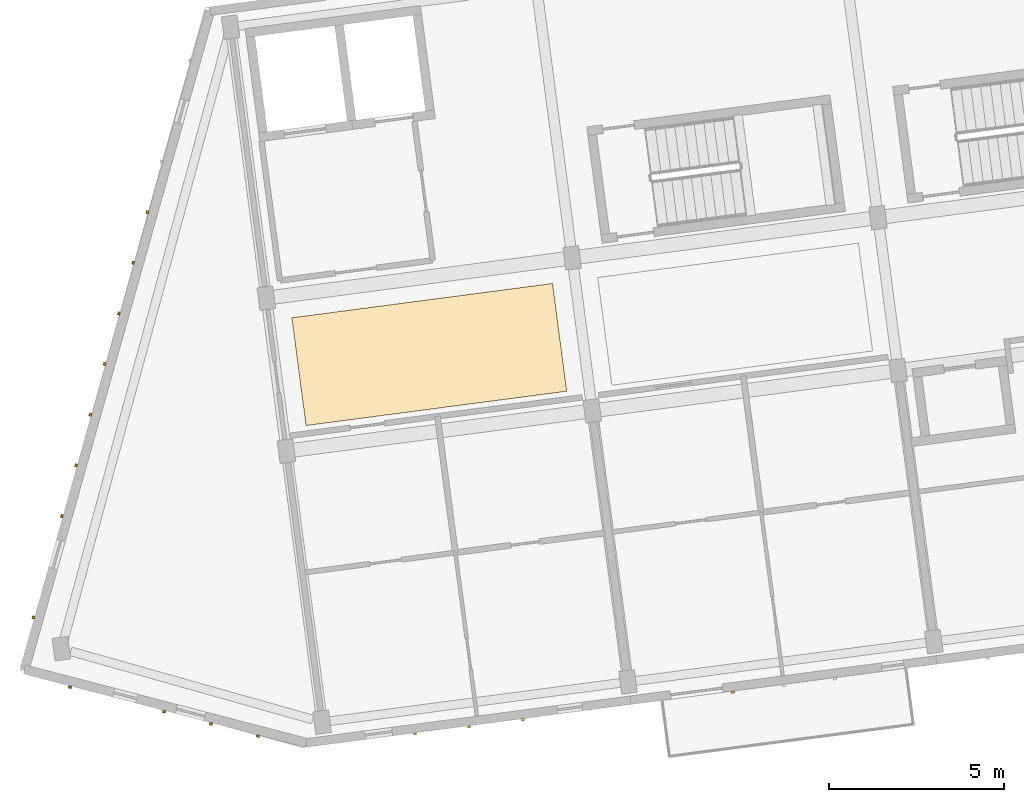
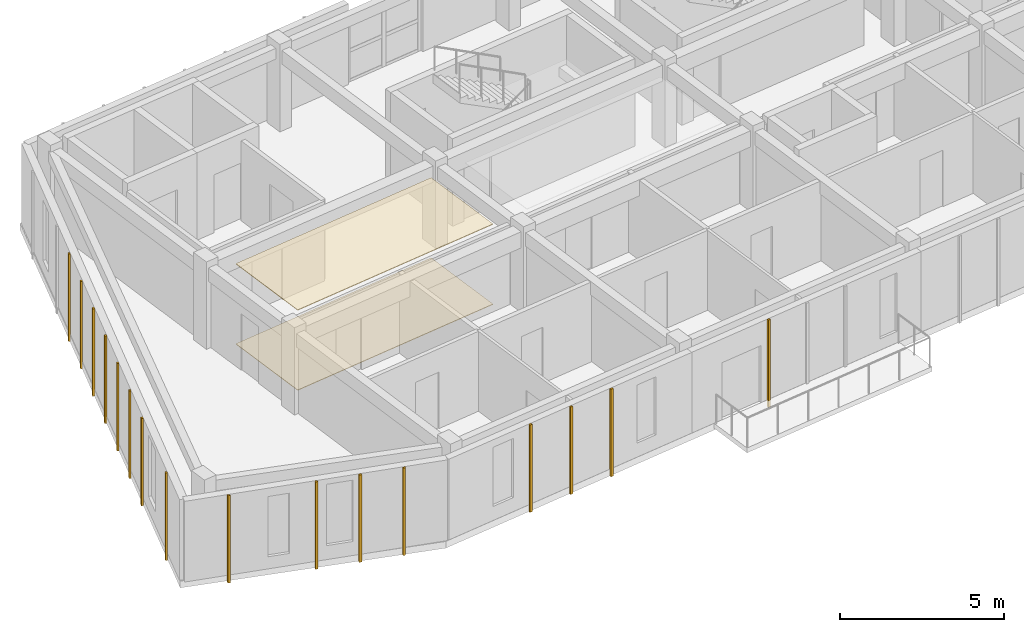
# One storey, part 21 of 31: 18 coverings.
"""IFC4 building model written with IfcOpenShell, lengths in metres."""

from ifc_helpers import new_model, si_unit, direction, frame, origin, origin_2d, place, context, subcontext, project, spatial, polyline, rectangle, outline, extrude, material, layer, layer_set, type_object, element, save


model = new_model("IFC4")

# Units and contexts
model_context = context("Model", 3, precision=1e-05, world=origin(), true_north=direction((0.0, 1.0)))
body_context = subcontext(model_context, "Body", "Model", "MODEL_VIEW")
ifc_project = project(units=[si_unit("LENGTHUNIT", "METRE"), si_unit("AREAUNIT", "SQUARE_METRE"), si_unit("VOLUMEUNIT", "CUBIC_METRE"), si_unit("PLANEANGLEUNIT", "RADIAN"), si_unit("MASSUNIT", "GRAM", prefix="KILO")], contexts=[model_context])

# Site, building, storey
site_placement = place(None, origin())
site = spatial("IfcSite", under=ifc_project, at=site_placement, CompositionType="ELEMENT")
building_placement = place(site_placement, origin())
building = spatial("IfcBuilding", under=site, at=building_placement, Name="Kestramere Prow Commons", CompositionType="ELEMENT")
storey_placement = place(building_placement, frame((0.0, 0.0, 37.64990234375)))
storey = spatial("IfcBuildingStorey", under=building, at=storey_placement, Name="L11", CompositionType="ELEMENT", Elevation=37.64990234375)

# Coverings
ifc_material_1 = material(Name="Mineral Fibre Acoustic Ceiling Tile")
ifc_layer_1 = layer(ifc_material_1, 0.02490234375)
ifc_layer_set_1 = layer_set([ifc_layer_1], Name="Mineral Fibre Acoustic Ceiling Tile")
covering_type_1 = type_object("IfcCoveringType", Name="COV-CEIL-ACOUSTIC", PredefinedType="CEILING", material=ifc_layer_set_1)
covering_1_placement = place(storey_placement, frame((0.0, 0.0, 2.97509765625)))
element("IfcCovering", 1, at=covering_1_placement, inside=storey, type_object=covering_type_1, Name="Block A L11 Corridor Acoustic Ceiling 1", PredefinedType="CEILING", context=body_context, shape_type="SweptSolid", body=[
    extrude(outline(polyline([(10.741455078125, 80.462646484375), (18.17724609375, 81.44140625), (17.772705078125, 84.514892578125), (10.3369140625, 83.5361328125), (10.741455078125, 80.462646484375)])), origin(), (0.0, 0.0, 1.0), 0.02490234375),
])
ifc_material_2 = material(Name="Weathered Zinc-Titanium Standing-Seam Cladding")
ifc_layer_2 = layer(ifc_material_2, 0.074951171875)
ifc_layer_set_2 = layer_set([ifc_layer_2], Name="Weathered Zinc-Titanium Standing-Seam Cladding")
covering_type_2 = type_object("IfcCoveringType", Name="COV-CLAD-SEAM", PredefinedType="CLADDING", material=ifc_layer_set_2)
for number, where, z_axis, x_axis, name in (
    (2, (16.931396484375, 72.0712890625, -0.25), (0.0, 0.0, 1.0), (-0.991444861374, -0.13052619222, 0.0), "EW-A-L11-S-0 Standing-Seam Rib 2"),
    (3, (15.390625, 71.868408203125, -0.25), (0.0, 0.0, 1.0), (-0.991444861374, -0.13052619222, 0.0), "EW-A-L11-S-0 Standing-Seam Rib 3"),
    (4, (13.849609375, 71.66552734375, -0.25), (0.0, 0.0, 1.0), (-0.991444861374, -0.13052619222, 0.0), "EW-A-L11-S-0 Standing-Seam Rib 4"),
    (5, (22.92138671875, 72.85986328125, -0.25), (0.0, 0.0, 1.0), (-0.991444861374, -0.13052619222, 0.0), "EW-A-L11-S-1 Standing-Seam Rib 4"),
    (6, (9.367431640625, 71.602783203125, -0.25), (0.0, 0.0, 1.0), (-0.96769817096, 0.252111582281, 0.0), "EW-A-L11-PRW-S Standing-Seam Rib 1"),
    (7, (8.028076171875, 71.95166015625, -0.25), (0.0, 0.0, 1.0), (-0.96769817096, 0.252111582281, 0.0), "EW-A-L11-PRW-S Standing-Seam Rib 2"),
    (8, (6.6884765625, 72.300537109375, -0.25), (0.0, 0.0, 1.0), (-0.96769817096, 0.252111582281, 0.0), "EW-A-L11-PRW-S Standing-Seam Rib 3"),
    (9, (4.009521484375, 72.99853515625, -0.25), (0.0, 0.0, 1.0), (-0.96769817096, 0.252111582281, 0.0), "EW-A-L11-PRW-S Standing-Seam Rib 5"),
    (10, (2.96142578125, 74.9931640625, -0.25), (0.0, 0.0, 1.0), (0.271159911526, 0.962534312314, 0.0), "EW-A-L11-PRW-N Standing-Seam Rib 1"),
    (11, (3.775146484375, 77.8818359375, -0.25), (0.0, 0.0, 1.0), (0.271159911526, 0.962534312314, 0.0), "EW-A-L11-PRW-N Standing-Seam Rib 3"),
    (12, (4.18212890625, 79.326171875, -0.25), (0.0, 0.0, 1.0), (0.271159911526, 0.962534312314, 0.0), "EW-A-L11-PRW-N Standing-Seam Rib 4"),
    (13, (4.5888671875, 80.7705078125, -0.25), (0.0, 0.0, 1.0), (0.271159911526, 0.962534312314, 0.0), "EW-A-L11-PRW-N Standing-Seam Rib 5"),
    (14, (4.995849609375, 82.21484375, -0.25), (0.0, 0.0, 1.0), (0.271159911526, 0.962534312314, 0.0), "EW-A-L11-PRW-N Standing-Seam Rib 6"),
    (15, (5.40283203125, 83.6591796875, -0.25), (0.0, 0.0, 1.0), (0.271159911526, 0.962534312314, 0.0), "EW-A-L11-PRW-N Standing-Seam Rib 7"),
    (16, (5.8095703125, 85.103271484375, -0.25), (0.0, 0.0, 1.0), (0.271159911526, 0.962534312314, 0.0), "EW-A-L11-PRW-N Standing-Seam Rib 8"),
    (17, (6.216552734375, 86.547607421875, -0.25), (0.0, 0.0, 1.0), (0.271159911526, 0.962534312314, 0.0), "EW-A-L11-PRW-N Standing-Seam Rib 9"),
):
    element("IfcCovering", number, at=place(storey_placement, frame(where, z_axis=z_axis, x_axis=x_axis)), inside=storey, type_object=covering_type_2, Name=name, PredefinedType="CLADDING", context=body_context, shape_type="SweptSolid", body=[
        extrude(rectangle(XDim=0.0849609375, YDim=0.06494140625, at=origin_2d()), origin(), (0.0, 0.0, 1.0), 3.25),
    ])
ifc_material_3 = material(Name="Honed Cementitious Terrazzo Tile")
ifc_layer_3 = layer(ifc_material_3, 0.02001953125)
ifc_layer_set_3 = layer_set([ifc_layer_3], Name="Honed Cementitious Terrazzo Tile")
covering_type_3 = type_object("IfcCoveringType", Name="COV-FLOOR-TERRAZZO", PredefinedType="FLOORING", material=ifc_layer_set_3)
covering_2_placement = place(storey_placement, origin())
element("IfcCovering", 18, at=covering_2_placement, inside=storey, type_object=covering_type_3, Name="Block A L11 Corridor Terrazzo Flooring 1", PredefinedType="FLOORING", context=body_context, shape_type="SweptSolid", body=[
    extrude(outline(polyline([(10.741455078125, 80.462646484375), (18.17724609375, 81.44140625), (17.772705078125, 84.514892578125), (10.3369140625, 83.5361328125), (10.741455078125, 80.462646484375)])), origin(), (0.0, 0.0, 1.0), 0.02001953125),
])

save(model, "model.ifc")
